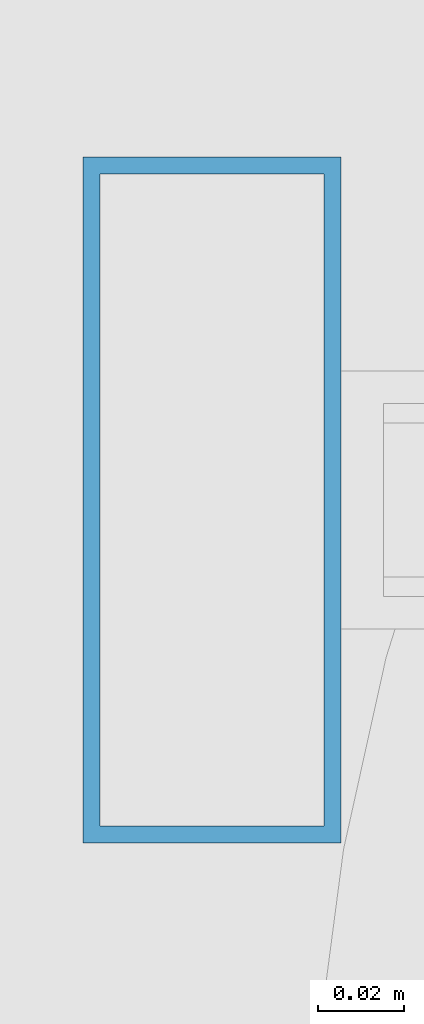
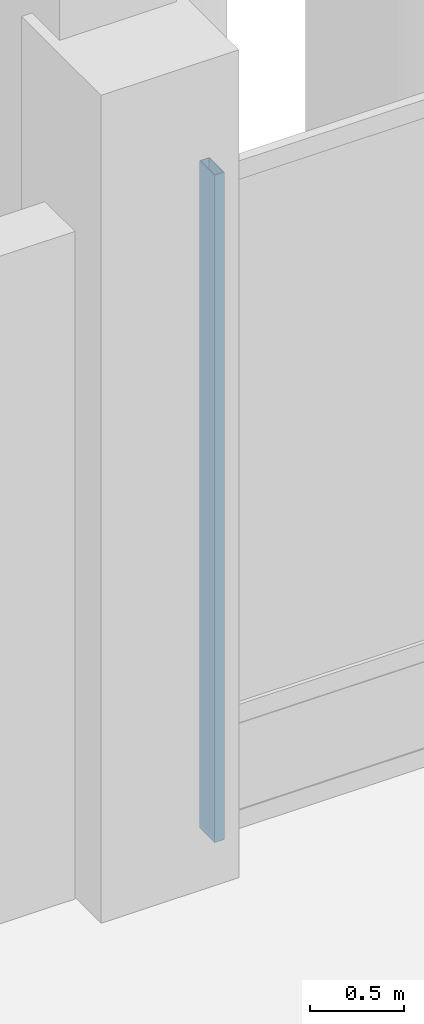
# One storey, part 55 of 192: 1 member, 1 element without a shape of its own.
"""IFC4 building model written with IfcOpenShell, lengths in metres."""

from ifc_helpers import new_model, si_unit, direction, frame, origin, origin_2d, place, context, subcontext, project, spatial, hollow_rectangle, extrude, material, material_profile, profile_set, type_object, element, aggregate, save


model = new_model("IFC4")

# Units and contexts
model_context = context("Model", 3, precision=1e-05, world=origin(), true_north=direction((0.0, 1.0)))
body_context = subcontext(model_context, "Body", "Model", "MODEL_VIEW")
ifc_project = project(units=[si_unit("LENGTHUNIT", "METRE"), si_unit("AREAUNIT", "SQUARE_METRE"), si_unit("VOLUMEUNIT", "CUBIC_METRE"), si_unit("PLANEANGLEUNIT", "RADIAN"), si_unit("MASSUNIT", "GRAM", prefix="KILO")], contexts=[model_context])

# Site, building, storey
site_placement = place(None, origin())
site = spatial("IfcSite", under=ifc_project, at=site_placement, CompositionType="ELEMENT")
building_placement = place(site_placement, origin())
building = spatial("IfcBuilding", under=site, at=building_placement, Name="Cendralis Lancet Convention Centre", CompositionType="ELEMENT")
storey_placement = place(building_placement, origin())
storey = spatial("IfcBuildingStorey", under=building, at=storey_placement, Name="L00", CompositionType="ELEMENT", Elevation=0.0)

# Curtain wall, member
ifc_material = material(Name="Anodised bronze architectural aluminium", Category="aluminium")
curtain_wall_type = type_object("IfcCurtainWallType", Name="ARC-CW-CL01", PredefinedType="USERDEFINED", material=ifc_material)
curtain_wall_placement = place(storey_placement, origin())
curtain_wall = element("IfcCurtainWall", 1, at=curtain_wall_placement, inside=storey, type_object=curtain_wall_type, Name="L00 Curtain Wall CW-CL1 #164", ObjectType="CURTAIN WALL", PredefinedType="USERDEFINED")
ifc_material_profile = material_profile(ifc_material, hollow_rectangle(XDim=0.06005859375, YDim=0.159912109375, WallThickness=0.00390625, at=origin_2d()), Name="AL-MULL 60x160x4.0")
ifc_profile_set = profile_set([ifc_material_profile], Name="Anodised bronze architectural aluminium")
member_type = type_object("IfcMemberType", Name="ARC-CW-ML01", PredefinedType="MULLION", material=ifc_profile_set)
member_placement = place(storey_placement, frame((94.10498046875, 36.0, 0.0), z_axis=(0.0, 0.0, 1.0), x_axis=(1.0, 0.0, 0.0)))
member = element("IfcMember", 2, at=member_placement, type_object=member_type, Name="Mullion CW2-CW-CL1-L00-164-M0", PredefinedType="MULLION", context=body_context, shape_type="SweptSolid", body=[
    extrude(hollow_rectangle(XDim=0.06005859375, YDim=0.159912109375, WallThickness=0.00390625, at=origin_2d()), origin(), (0.0, 0.0, 1.0), 4.35498046875),
])
aggregate(curtain_wall, [member])

save(model, "model.ifc")
